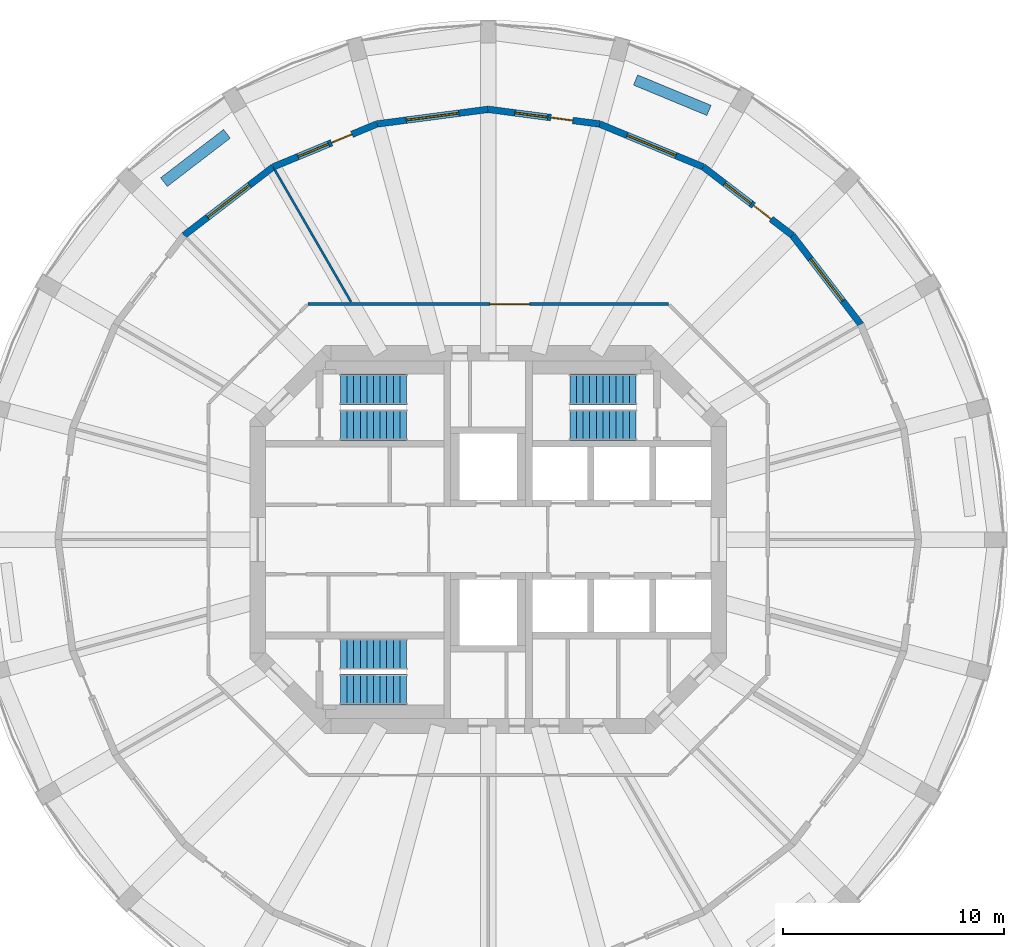
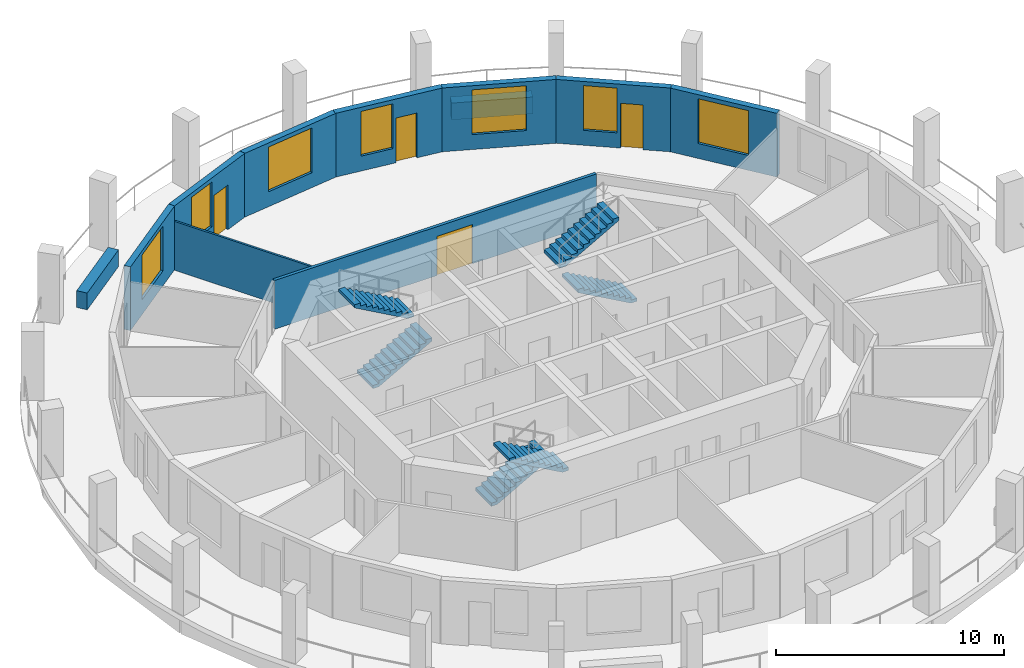
# One storey, part 6 of 8: 11 walls, 7 windows, 6 stair flights, 4 doors, 11 openings, 3 elements without a shape of their own.
"""IFC4 building model written with IfcOpenShell, lengths in metres."""

import ifcopenshell
import ifcopenshell.guid

model = None  # the IFC model being written
_history = None  # IfcOwnerHistory: only IFC2X3 demands one
_inside = {}  # id of a spatial element -> (the spatial element, [elements in it])
_under = {}  # id of a project, library or spatial element -> (it, [spatial elements below it])
_declared = {}  # id of a project -> (the project, [libraries it declares])
_typed = {}  # id of a type object -> (the type object, [elements of that type])
_made_of = {}  # id of a material, layer set ... -> (it, [elements and type objects made of it])


def new_model(schema):
    """Start an empty IFC model of exactly this schema.

    Asked for "IFC4X3", IfcOpenShell would pick the latest addendum, in which some entities
    have other attributes; the version numbers below select the first issue.
    IFC2X3 requires an IfcOwnerHistory on every rooted entity: one is made here for all.
    """
    global model, _history
    if schema == "IFC4X3":
        model = ifcopenshell.file(schema_version=(4, 3, 0, 0))
    else:
        model = ifcopenshell.file(schema=schema)
    _inside.clear()
    _under.clear()
    _declared.clear()
    _typed.clear()
    _made_of.clear()
    _history = None
    if model.schema == "IFC2X3":
        org = make("IfcOrganization", Name="unknown")
        user = make(
            "IfcPersonAndOrganization",
            ThePerson=make("IfcPerson", FamilyName="unknown"),
            TheOrganization=org,
        )
        app = make(
            "IfcApplication",
            ApplicationDeveloper=org,
            Version="unknown",
            ApplicationFullName="unknown",
            ApplicationIdentifier="unknown",
        )
        _history = make(
            "IfcOwnerHistory",
            OwningUser=user,
            OwningApplication=app,
            ChangeAction="ADDED",
            CreationDate=0,
        )
    return model


def make(cls, **values):
    """One entity of the class cls with the attributes given. An attribute that is None is left unset."""
    return model.create_entity(
        cls, **{name: value for name, value in values.items() if value is not None}
    )


def rooted(cls, **values):
    """An entity with a GlobalId (a new one), such as an element, a storey or a relation."""
    return make(cls, GlobalId=ifcopenshell.guid.new(), OwnerHistory=_history, **values)


def si_unit(unit_type, name, prefix=None):
    """IfcSIUnit, for example si_unit("LENGTHUNIT", "METRE", prefix="MILLI")."""
    return make("IfcSIUnit", UnitType=unit_type, Prefix=prefix, Name=name)


def assignment(units):
    """IfcUnitAssignment: the units of a project."""
    return None if units is None else make("IfcUnitAssignment", Units=units)


def point(xyz):
    """IfcCartesianPoint."""
    return None if xyz is None else make("IfcCartesianPoint", Coordinates=xyz)


def direction(xyz):
    """IfcDirection."""
    return None if xyz is None else make("IfcDirection", DirectionRatios=xyz)


def frame(location, z_axis=None, x_axis=None):
    """IfcAxis2Placement3D, a coordinate frame: its origin and axes. An axis left out is left unset."""
    return make(
        "IfcAxis2Placement3D",
        Location=point(location),
        Axis=direction(z_axis),
        RefDirection=direction(x_axis),
    )


def frame_2d(location, x_axis=None):
    """IfcAxis2Placement2D, a coordinate frame in the plane: its origin and x axis."""
    return make(
        "IfcAxis2Placement2D", Location=point(location), RefDirection=direction(x_axis)
    )


def origin():
    """The frame at (0, 0, 0) with its axes left unset."""
    return frame((0.0, 0.0, 0.0))


def place(relative_to, where):
    """IfcLocalPlacement: puts the frame where relative to a parent placement (None: the world)."""
    return make(
        "IfcLocalPlacement", PlacementRelTo=relative_to, RelativePlacement=where
    )


def context(
    kind, dimensions, precision=None, world=None, true_north=None, identifier=None
):
    """IfcGeometricRepresentationContext, for example the 3D "Model" context."""
    return make(
        "IfcGeometricRepresentationContext",
        ContextIdentifier=identifier,
        ContextType=kind,
        CoordinateSpaceDimension=dimensions,
        Precision=precision,
        WorldCoordinateSystem=world,
        TrueNorth=true_north,
    )


def subcontext(parent, identifier, kind, view, scale=None):
    """IfcGeometricRepresentationSubContext, for example "Body" below "Model"."""
    return make(
        "IfcGeometricRepresentationSubContext",
        ContextIdentifier=identifier,
        ContextType=kind,
        ParentContext=parent,
        TargetScale=scale,
        TargetView=view,
    )


def project(units=None, contexts=None):
    """IfcProject with its units and contexts."""
    return rooted(
        "IfcProject",
        Name="project",
        RepresentationContexts=contexts,
        UnitsInContext=assignment(units),
    )


def spatial(cls, under=None, at=None, **own):
    """A site, building, storey or space (cls), placed at a placement, below another one or the project."""
    s = rooted(cls, ObjectPlacement=at, **own)
    if under is not None:
        _under.setdefault(under.id(), (under, []))[1].append(s)
    return s


def polyline(points):
    """IfcPolyline through the points."""
    return make("IfcPolyline", Points=[point(p) for p in points])


def profile(cls, at=None, kind="AREA", **sizes):
    """A parametric profile (cls). Its sizes go by their IFC names, for example OverallWidth=200.0."""
    return make(cls, ProfileType=kind, Position=at, **sizes)


def rectangle(**sizes):
    """IfcRectangleProfileDef."""
    return profile("IfcRectangleProfileDef", **sizes)


def outline(outer, holes=None, kind="AREA"):
    """IfcArbitraryClosedProfileDef: a profile drawn as a closed curve; with holes, ...WithVoids."""
    if holes is None:
        return make("IfcArbitraryClosedProfileDef", ProfileType=kind, OuterCurve=outer)
    return make(
        "IfcArbitraryProfileDefWithVoids",
        ProfileType=kind,
        OuterCurve=outer,
        InnerCurves=holes,
    )


def extrude(swept, where, along, depth):
    """IfcExtrudedAreaSolid: the profile swept, set in the frame where, extruded along a direction by depth."""
    return make(
        "IfcExtrudedAreaSolid",
        SweptArea=swept,
        Position=where,
        ExtrudedDirection=direction(along),
        Depth=depth,
    )


def shape(context_of_items, identifier, shape_type, items):
    """IfcShapeRepresentation: the items that make up one representation, for example the "Body"."""
    return make(
        "IfcShapeRepresentation",
        ContextOfItems=context_of_items,
        RepresentationIdentifier=identifier,
        RepresentationType=shape_type,
        Items=items,
    )


def material(Name=None, Category=None):
    """IfcMaterial."""
    return make("IfcMaterial", Name=Name, Category=Category)


def layer(
    of_material, thickness, ventilated=None, Name=None, Category=None, Priority=None
):
    """IfcMaterialLayer: one layer of a wall or slab, of a material (None: an air gap)."""
    return make(
        "IfcMaterialLayer",
        Material=of_material,
        LayerThickness=thickness,
        IsVentilated=ventilated,
        Name=Name,
        Category=Category,
        Priority=Priority,
    )


def layer_set(layers, Name=None):
    """IfcMaterialLayerSet."""
    return make("IfcMaterialLayerSet", MaterialLayers=layers, LayerSetName=Name)


def made_of(thing, what):
    """Note that an element or type object is made of a material, layer set ...; save() writes the relation."""
    if what is not None:
        _made_of.setdefault(what.id(), (what, []))[1].append(thing)
    return thing


def type_object(cls, material=None, **own):
    """A type object (cls), such as IfcWallType, which elements share."""
    return made_of(rooted(cls, **own), material)


def element(
    cls,
    number,
    at=None,
    inside=None,
    cuts=None,
    type_object=None,
    material=None,
    context=None,
    identifier="Body",
    shape_type=None,
    held_by="IfcProductDefinitionShape",
    body=None,
    shapes=None,
    **own,
):
    """One element of the class cls, such as IfcWall. Its Tag is "e" and its number.

    at: its placement. inside: the storey or other place that contains it. cuts: it is an
    opening in that element (IfcRelVoidsElement). A single representation is given by context,
    identifier, shape_type and body (its items); several are given by shapes. held_by: the class
    of the entity that holds the representations. save() writes the other relations.
    """
    e = rooted(cls, Tag="e%d" % number, ObjectPlacement=at, **own)
    if body is not None:
        shapes = [shape(context, identifier, shape_type, body)]
    if shapes is not None:
        e.Representation = make(held_by, Representations=shapes)
    if inside is not None:
        _inside.setdefault(inside.id(), (inside, []))[1].append(e)
    if cuts is not None:
        rooted(
            "IfcRelVoidsElement", RelatingBuildingElement=cuts, RelatedOpeningElement=e
        )
    if type_object is not None:
        _typed.setdefault(type_object.id(), (type_object, []))[1].append(e)
    return made_of(e, material)


def fill(opening, filler):
    """IfcRelFillsElement: the door or window that sits in an opening."""
    return rooted(
        "IfcRelFillsElement",
        RelatingOpeningElement=opening,
        RelatedBuildingElement=filler,
    )


def aggregate(whole, parts):
    """IfcRelAggregates: a whole, such as a stair, and the parts it consists of."""
    return rooted("IfcRelAggregates", RelatingObject=whole, RelatedObjects=parts)


def save(model, path):
    """Write the relations noted so far, then the file.

    IfcRelAggregates (storeys below a building ...), IfcRelContainedInSpatialStructure (elements
    in a storey), IfcRelDefinesByType, IfcRelAssociatesMaterial and IfcRelDeclares: one each for
    every whole, place, type object, material and project.
    """
    for whole, parts in _under.values():
        aggregate(whole, parts)
    for where, things in _inside.values():
        rooted(
            "IfcRelContainedInSpatialStructure",
            RelatedElements=things,
            RelatingStructure=where,
        )
    for kind, things in _typed.values():
        rooted("IfcRelDefinesByType", RelatedObjects=things, RelatingType=kind)
    for what, things in _made_of.values():
        rooted("IfcRelAssociatesMaterial", RelatedObjects=things, RelatingMaterial=what)
    for by, libraries in _declared.values():
        rooted("IfcRelDeclares", RelatingContext=by, RelatedDefinitions=libraries)
    model.write(path)


model = new_model("IFC4")

# Units and contexts
model_context = context("Model", 3, precision=1e-05, world=origin(), true_north=direction((0.0, 1.0)))
body_context = subcontext(model_context, "Body", "Model", "MODEL_VIEW")
ifc_project = project(units=[si_unit("LENGTHUNIT", "METRE"), si_unit("AREAUNIT", "SQUARE_METRE"), si_unit("VOLUMEUNIT", "CUBIC_METRE"), si_unit("PLANEANGLEUNIT", "RADIAN"), si_unit("MASSUNIT", "GRAM", prefix="KILO")], contexts=[model_context])

# Site, building, storey
site_placement = place(None, origin())
site = spatial("IfcSite", under=ifc_project, at=site_placement, CompositionType="ELEMENT")
building_placement = place(site_placement, origin())
building = spatial("IfcBuilding", under=site, at=building_placement, Name="Torre Triforio", CompositionType="ELEMENT")
storey_placement = place(building_placement, frame((0.0, 0.0, 196.5)))
storey = spatial("IfcBuildingStorey", under=building, at=storey_placement, Name="L44", CompositionType="ELEMENT", Elevation=196.5)

# Wall, opening, door
ifc_material_1 = material(Name="Plasterboard on metal studs")
ifc_layer_1 = layer(ifc_material_1, 0.14990234375)
ifc_layer_set_1 = layer_set([ifc_layer_1], Name="Plasterboard on metal studs")
wall_type_1 = type_object("IfcWallType", Name="Corridor and tenancy wall 150 mm EI 60", PredefinedType="PARTITIONING", material=ifc_layer_set_1)
wall_1_placement = place(storey_placement, frame((-8.16650390625, 10.675048828125, 0.0), z_axis=(0.0, 0.0, 1.0), x_axis=(1.0, 0.0, 0.0)))
wall_1 = element("IfcWall", 1, at=wall_1_placement, inside=storey, type_object=wall_type_1, Name="Partition 7", PredefinedType="PARTITIONING", context=body_context, shape_type="SweptSolid", body=[
    extrude(rectangle(XDim=16.3330078125, YDim=0.14990234375, at=frame_2d((8.16650390625, 0.0))), origin(), (0.0, 0.0, 1.0), 2.6201171875),
])
opening_1_placement = place(wall_1_placement, frame((8.239501953125, 0.0, 0.0)))
opening_1 = element("IfcOpeningElement", 2, at=opening_1_placement, cuts=wall_1, Name="Opening O4-01", PredefinedType="OPENING", context=body_context, shape_type="SweptSolid", body=[
    extrude(rectangle(XDim=1.800048828125, YDim=2.10009765625, at=frame_2d((0.89990234375, 1.050048828125))), frame((0.0, 0.0849609375, 0.0), z_axis=(0.0, -1.0, 0.0), x_axis=(1.0, 0.0, 0.0)), (0.0, 0.0, 1.0), 0.169921875),
])
ifc_material_2 = material(Name="Timber", Category="wood")
door_type_1 = type_object("IfcDoorType", Name="Door 1800 x 2100 double leaf EI 30", OperationType="DOUBLE_DOOR_SINGLE_SWING", PredefinedType="DOOR", material=ifc_material_2)
door_1_placement = place(opening_1_placement, origin())
door_1 = element("IfcDoor", 3, at=door_1_placement, inside=storey, type_object=door_type_1, Name="Door O4-01", OperationType="DOUBLE_DOOR_SINGLE_SWING", OverallHeight=2.10009765625, OverallWidth=1.800048828125, PredefinedType="DOOR", context=body_context, shape_type="SweptSolid", body=[
    extrude(rectangle(XDim=1.800048828125, YDim=2.10009765625, at=frame_2d((0.89990234375, 1.050048828125))), frame((0.0, 0.02490234375, 0.0), z_axis=(0.0, -1.0, 0.0), x_axis=(1.0, 0.0, 0.0)), (0.0, 0.0, 1.0), 0.050048828125),
])
fill(opening_1, door_1)

# Walls
ifc_layer_2 = layer(ifc_material_1, 0.10009765625)
ifc_layer_set_2 = layer_set([ifc_layer_2], Name="Plasterboard on metal studs")
wall_type_2 = type_object("IfcWallType", Name="Partition 100 mm board on metal studs", PredefinedType="PARTITIONING", material=ifc_layer_set_2)
wall_2_placement = place(storey_placement, frame((-6.220703125, 10.774658203125, 0.0), z_axis=(0.0, 0.0, 1.0), x_axis=(-0.500015661236, 0.866016361577, 0.0)))
element("IfcWall", 4, at=wall_2_placement, inside=storey, type_object=wall_type_2, Name="Partition 14", PredefinedType="PARTITIONING", context=body_context, shape_type="SweptSolid", body=[
    extrude(rectangle(XDim=6.895263671875, YDim=0.10009765625, at=frame_2d((3.44775390625, 0.0))), origin(), (0.0, 0.0, 1.0), 2.6201171875),
])
ifc_material_3 = material(Name="Limestone cladding", Category="masonry")
ifc_layer_3 = layer(ifc_material_3, 0.10009765625)
ifc_material_4 = material(Name="Concrete C40", Category="concrete")
ifc_layer_4 = layer(ifc_material_4, 0.39990234375)
ifc_layer_set_3 = layer_set([ifc_layer_3, ifc_layer_4], Name="Limestone cladding / Concrete C40")
wall_type_3 = type_object("IfcWallType", Name="Planter wall 500", PredefinedType="PARAPET", material=ifc_layer_set_3)
wall_3_placement = place(storey_placement, frame((10.005615234375, 19.45166015625, 0.0), z_axis=(0.0, 0.0, 1.0), x_axis=(-0.923885420167, 0.382669217998, 0.0)))
element("IfcWall", 5, at=wall_3_placement, inside=storey, type_object=wall_type_3, Name="Planter L44 bay 05", PredefinedType="PARAPET", context=body_context, shape_type="SweptSolid", body=[
    extrude(rectangle(XDim=3.60009765625, YDim=0.5, at=frame_2d((1.800048828125, 0.0))), origin(), (0.0, 0.0, 1.0), 0.89990234375),
])
wall_4_placement = place(storey_placement, frame((-11.843017578125, 18.390869140625, 0.0), z_axis=(0.0, 0.0, 1.0), x_axis=(-0.793326845617, -0.608795955984, 0.0)))
element("IfcWall", 6, at=wall_4_placement, inside=storey, type_object=wall_type_3, Name="Planter L44 bay 09", PredefinedType="PARAPET", context=body_context, shape_type="SweptSolid", body=[
    extrude(rectangle(XDim=3.599853515625, YDim=0.5, at=frame_2d((1.7998046875, 0.0))), origin(), (0.0, 0.0, 1.0), 0.89990234375),
])

# Wall, opening, window
ifc_layer_5 = layer(ifc_material_3, 0.10009765625)
ifc_layer_6 = layer(ifc_material_4, 0.199951171875)
ifc_layer_set_4 = layer_set([ifc_layer_5, ifc_layer_6], Name="Limestone cladding / Concrete C40")
wall_type_4 = type_object("IfcWallType", Name="Stone-faced composite wall 300", PredefinedType="STANDARD", material=ifc_layer_set_4)
wall_5_placement = place(storey_placement, frame((16.887451171875, 9.75, 0.0), z_axis=(0.0, 0.0, 1.0), x_axis=(-0.608757714995, 0.79335619014, 0.0)))
wall_5 = element("IfcWall", 7, at=wall_5_placement, inside=storey, type_object=wall_type_4, Name="External wall L44 bay 03", PredefinedType="STANDARD", context=body_context, shape_type="SweptSolid", body=[
    extrude(rectangle(XDim=5.090576171875, YDim=0.300048828125, at=frame_2d((2.54541015625, 0.0))), origin(), (0.0, 0.0, 1.0), 3.419921875),
])
opening_2_placement = place(wall_5_placement, frame((1.34521484375, 0.0, 0.800048828125)))
opening_2 = element("IfcOpeningElement", 8, at=opening_2_placement, cuts=wall_5, Name="Opening O4-W03", PredefinedType="OPENING", context=body_context, shape_type="SweptSolid", body=[
    extrude(rectangle(XDim=2.39990234375, YDim=2.39990234375, at=frame_2d((1.199951171875, 1.199951171875))), frame((0.0, 0.159912109375, 0.0), z_axis=(0.0, -1.0, 0.0), x_axis=(1.0, 0.0, 0.0)), (0.0, 0.0, 1.0), 0.320068359375),
])
ifc_material_5 = material(Name="Aluminium frame with clear double glazing", Category="aluminium")
window_type_1 = type_object("IfcWindowType", Name="Punched window 2400 x 2400", PartitioningType="DOUBLE_PANEL_VERTICAL", PredefinedType="WINDOW", material=ifc_material_5)
window_1_placement = place(opening_2_placement, origin())
window_1 = element("IfcWindow", 9, at=window_1_placement, inside=storey, type_object=window_type_1, Name="Window EWN4 L44 bay 03", OverallHeight=2.39990234375, OverallWidth=2.39990234375, PartitioningType="SINGLE_PANEL", PredefinedType="WINDOW", context=body_context, shape_type="SweptSolid", body=[
    extrude(rectangle(XDim=2.39990234375, YDim=2.39990234375, at=frame_2d((1.199951171875, 1.199951171875))), frame((0.0, 0.030029296875, 0.0), z_axis=(0.0, -1.0, 0.0), x_axis=(1.0, 0.0, 0.0)), (0.0, 0.0, 1.0), 0.06005859375),
])
fill(opening_2, window_1)

# Wall, openings, door, window
wall_6_placement = place(storey_placement, frame((13.78857421875, 13.78857421875, 0.0), z_axis=(0.0, 0.0, 1.0), x_axis=(-0.79335619014, 0.608757714995, 0.0)))
wall_6 = element("IfcWall", 10, at=wall_6_placement, inside=storey, type_object=wall_type_4, Name="External wall L44 bay 04", PredefinedType="STANDARD", context=body_context, shape_type="SweptSolid", body=[
    extrude(rectangle(XDim=5.090576171875, YDim=0.300048828125, at=frame_2d((2.54541015625, 0.0))), origin(), (0.0, 0.0, 1.0), 3.419921875),
])
opening_3_placement = place(wall_6_placement, frame((1.22021484375, 0.0, 0.0)))
opening_3 = element("IfcOpeningElement", 11, at=opening_3_placement, cuts=wall_6, Name="Opening O4-D04", PredefinedType="OPENING", context=body_context, shape_type="SweptSolid", body=[
    extrude(rectangle(XDim=1.0, YDim=2.39990234375, at=frame_2d((0.5, 1.199951171875))), frame((0.0, 0.159912109375, 0.0), z_axis=(0.0, -1.0, 0.0), x_axis=(1.0, 0.0, 0.0)), (0.0, 0.0, 1.0), 0.320068359375),
])
opening_4_placement = place(wall_6_placement, frame((2.370361328125, 0.0, 0.800048828125)))
opening_4 = element("IfcOpeningElement", 12, at=opening_4_placement, cuts=wall_6, Name="Opening O4-W04A", PredefinedType="OPENING", context=body_context, shape_type="SweptSolid", body=[
    extrude(rectangle(XDim=1.5, YDim=2.39990234375, at=frame_2d((0.75, 1.199951171875))), frame((0.0, 0.159912109375, 0.0), z_axis=(0.0, -1.0, 0.0), x_axis=(1.0, 0.0, 0.0)), (0.0, 0.0, 1.0), 0.320068359375),
])
door_type_2 = type_object("IfcDoorType", Name="Loggia door 1000 x 2400", OperationType="NOTDEFINED", PredefinedType="DOOR", material=ifc_material_5)
door_2_placement = place(opening_3_placement, origin())
door_2 = element("IfcDoor", 13, at=door_2_placement, inside=storey, type_object=door_type_2, Name="Loggia door L44 bay 04", OperationType="SINGLE_SWING_LEFT", OverallHeight=2.39990234375, OverallWidth=1.0, PredefinedType="DOOR", context=body_context, shape_type="SweptSolid", body=[
    extrude(rectangle(XDim=1.0, YDim=2.39990234375, at=frame_2d((0.5, 1.199951171875))), frame((0.0, 0.02490234375, 0.0), z_axis=(0.0, -1.0, 0.0), x_axis=(1.0, 0.0, 0.0)), (0.0, 0.0, 1.0), 0.050048828125),
])
fill(opening_3, door_2)
window_type_2 = type_object("IfcWindowType", Name="Side window 1500 x 2400", PartitioningType="SINGLE_PANEL", PredefinedType="WINDOW", material=ifc_material_5)
window_2_placement = place(opening_4_placement, origin())
window_2 = element("IfcWindow", 14, at=window_2_placement, inside=storey, type_object=window_type_2, Name="Side window EWN14 L44 bay 04", OverallHeight=2.39990234375, OverallWidth=1.5, PartitioningType="SINGLE_PANEL", PredefinedType="WINDOW", context=body_context, shape_type="SweptSolid", body=[
    extrude(rectangle(XDim=1.5, YDim=2.39990234375, at=frame_2d((0.75, 1.199951171875))), frame((0.0, 0.030029296875, 0.0), z_axis=(0.0, -1.0, 0.0), x_axis=(1.0, 0.0, 0.0)), (0.0, 0.0, 1.0), 0.06005859375),
])
fill(opening_4, window_2)

# Wall, opening, window
wall_7_placement = place(storey_placement, frame((9.75, 16.887451171875, 0.0), z_axis=(0.0, 0.0, 1.0), x_axis=(-0.923862504675, 0.382724538613, 0.0)))
wall_7 = element("IfcWall", 15, at=wall_7_placement, inside=storey, type_object=wall_type_4, Name="External wall L44 bay 05", PredefinedType="STANDARD", context=body_context, shape_type="SweptSolid", body=[
    extrude(rectangle(XDim=5.090576171875, YDim=0.300048828125, at=frame_2d((2.54541015625, 0.0))), origin(), (0.0, 0.0, 1.0), 3.419921875),
])
opening_5_placement = place(wall_7_placement, frame((1.34521484375, 0.0, 0.800048828125)))
opening_5 = element("IfcOpeningElement", 16, at=opening_5_placement, cuts=wall_7, Name="Opening O4-W05", PredefinedType="OPENING", context=body_context, shape_type="SweptSolid", body=[
    extrude(rectangle(XDim=2.39990234375, YDim=2.39990234375, at=frame_2d((1.199951171875, 1.199951171875))), frame((0.0, 0.159912109375, 0.0), z_axis=(0.0, -1.0, 0.0), x_axis=(1.0, 0.0, 0.0)), (0.0, 0.0, 1.0), 0.320068359375),
])
window_3_placement = place(opening_5_placement, origin())
window_3 = element("IfcWindow", 17, at=window_3_placement, inside=storey, type_object=window_type_1, Name="Window EWN4 L44 bay 05", OverallHeight=2.39990234375, OverallWidth=2.39990234375, PartitioningType="SINGLE_PANEL", PredefinedType="WINDOW", context=body_context, shape_type="SweptSolid", body=[
    extrude(rectangle(XDim=2.39990234375, YDim=2.39990234375, at=frame_2d((1.199951171875, 1.199951171875))), frame((0.0, 0.030029296875, 0.0), z_axis=(0.0, -1.0, 0.0), x_axis=(1.0, 0.0, 0.0)), (0.0, 0.0, 1.0), 0.06005859375),
])
fill(opening_5, window_3)

# Wall, openings, door, window
wall_8_placement = place(storey_placement, frame((5.047119140625, 18.835693359375, 0.0), z_axis=(0.0, 0.0, 1.0), x_axis=(-0.99144890792, 0.130495451964, 0.0)))
wall_8 = element("IfcWall", 18, at=wall_8_placement, inside=storey, type_object=wall_type_4, Name="External wall L44 bay 06", PredefinedType="STANDARD", context=body_context, shape_type="SweptSolid", body=[
    extrude(rectangle(XDim=5.090576171875, YDim=0.300048828125, at=frame_2d((2.54541015625, 0.0))), origin(), (0.0, 0.0, 1.0), 3.419921875),
])
opening_6_placement = place(wall_8_placement, frame((1.22021484375, 0.0, 0.0)))
opening_6 = element("IfcOpeningElement", 19, at=opening_6_placement, cuts=wall_8, Name="Opening O4-D06", PredefinedType="OPENING", context=body_context, shape_type="SweptSolid", body=[
    extrude(rectangle(XDim=1.0, YDim=2.39990234375, at=frame_2d((0.5, 1.199951171875))), frame((0.0, 0.159912109375, 0.0), z_axis=(0.0, -1.0, 0.0), x_axis=(1.0, 0.0, 0.0)), (0.0, 0.0, 1.0), 0.320068359375),
])
opening_7_placement = place(wall_8_placement, frame((2.370361328125, 0.0, 0.800048828125)))
opening_7 = element("IfcOpeningElement", 20, at=opening_7_placement, cuts=wall_8, Name="Opening O4-W06A", PredefinedType="OPENING", context=body_context, shape_type="SweptSolid", body=[
    extrude(rectangle(XDim=1.5, YDim=2.39990234375, at=frame_2d((0.75, 1.199951171875))), frame((0.0, 0.159912109375, 0.0), z_axis=(0.0, -1.0, 0.0), x_axis=(1.0, 0.0, 0.0)), (0.0, 0.0, 1.0), 0.320068359375),
])
door_3_placement = place(opening_6_placement, origin())
door_3 = element("IfcDoor", 21, at=door_3_placement, inside=storey, type_object=door_type_2, Name="Loggia door L44 bay 06", OperationType="SINGLE_SWING_LEFT", OverallHeight=2.39990234375, OverallWidth=1.0, PredefinedType="DOOR", context=body_context, shape_type="SweptSolid", body=[
    extrude(rectangle(XDim=1.0, YDim=2.39990234375, at=frame_2d((0.5, 1.199951171875))), frame((0.0, 0.02490234375, 0.0), z_axis=(0.0, -1.0, 0.0), x_axis=(1.0, 0.0, 0.0)), (0.0, 0.0, 1.0), 0.050048828125),
])
fill(opening_6, door_3)
window_4_placement = place(opening_7_placement, origin())
window_4 = element("IfcWindow", 22, at=window_4_placement, inside=storey, type_object=window_type_2, Name="Side window EWN14 L44 bay 06", OverallHeight=2.39990234375, OverallWidth=1.5, PartitioningType="SINGLE_PANEL", PredefinedType="WINDOW", context=body_context, shape_type="SweptSolid", body=[
    extrude(rectangle(XDim=1.5, YDim=2.39990234375, at=frame_2d((0.75, 1.199951171875))), frame((0.0, 0.030029296875, 0.0), z_axis=(0.0, -1.0, 0.0), x_axis=(1.0, 0.0, 0.0)), (0.0, 0.0, 1.0), 0.06005859375),
])
fill(opening_7, window_4)

# Wall, opening, window
wall_9_placement = place(storey_placement, frame((0.0, 19.5, 0.0), z_axis=(0.0, 0.0, 1.0), x_axis=(-0.99144890792, -0.130495451964, 0.0)))
wall_9 = element("IfcWall", 23, at=wall_9_placement, inside=storey, type_object=wall_type_4, Name="External wall L44 bay 07", PredefinedType="STANDARD", context=body_context, shape_type="SweptSolid", body=[
    extrude(rectangle(XDim=5.090576171875, YDim=0.300048828125, at=frame_2d((2.54541015625, 0.0))), origin(), (0.0, 0.0, 1.0), 3.419921875),
])
opening_8_placement = place(wall_9_placement, frame((1.34521484375, 0.0, 0.800048828125)))
opening_8 = element("IfcOpeningElement", 24, at=opening_8_placement, cuts=wall_9, Name="Opening O4-W07", PredefinedType="OPENING", context=body_context, shape_type="SweptSolid", body=[
    extrude(rectangle(XDim=2.39990234375, YDim=2.39990234375, at=frame_2d((1.199951171875, 1.199951171875))), frame((0.0, 0.159912109375, 0.0), z_axis=(0.0, -1.0, 0.0), x_axis=(1.0, 0.0, 0.0)), (0.0, 0.0, 1.0), 0.320068359375),
])
window_5_placement = place(opening_8_placement, origin())
window_5 = element("IfcWindow", 25, at=window_5_placement, inside=storey, type_object=window_type_1, Name="Window EWN4 L44 bay 07", OverallHeight=2.39990234375, OverallWidth=2.39990234375, PartitioningType="SINGLE_PANEL", PredefinedType="WINDOW", context=body_context, shape_type="SweptSolid", body=[
    extrude(rectangle(XDim=2.39990234375, YDim=2.39990234375, at=frame_2d((1.199951171875, 1.199951171875))), frame((0.0, 0.030029296875, 0.0), z_axis=(0.0, -1.0, 0.0), x_axis=(1.0, 0.0, 0.0)), (0.0, 0.0, 1.0), 0.06005859375),
])
fill(opening_8, window_5)

# Wall, openings, door, window
wall_10_placement = place(storey_placement, frame((-5.047119140625, 18.835693359375, 0.0), z_axis=(0.0, 0.0, 1.0), x_axis=(-0.923862504675, -0.382724538613, 0.0)))
wall_10 = element("IfcWall", 26, at=wall_10_placement, inside=storey, type_object=wall_type_4, Name="External wall L44 bay 08", PredefinedType="STANDARD", context=body_context, shape_type="SweptSolid", body=[
    extrude(rectangle(XDim=5.090576171875, YDim=0.300048828125, at=frame_2d((2.54541015625, 0.0))), origin(), (0.0, 0.0, 1.0), 3.419921875),
])
opening_9_placement = place(wall_10_placement, frame((1.22021484375, 0.0, 0.0)))
opening_9 = element("IfcOpeningElement", 27, at=opening_9_placement, cuts=wall_10, Name="Opening O4-D08", PredefinedType="OPENING", context=body_context, shape_type="SweptSolid", body=[
    extrude(rectangle(XDim=1.0, YDim=2.39990234375, at=frame_2d((0.5, 1.199951171875))), frame((0.0, 0.159912109375, 0.0), z_axis=(0.0, -1.0, 0.0), x_axis=(1.0, 0.0, 0.0)), (0.0, 0.0, 1.0), 0.320068359375),
])
opening_10_placement = place(wall_10_placement, frame((2.370361328125, 0.0, 0.800048828125)))
opening_10 = element("IfcOpeningElement", 28, at=opening_10_placement, cuts=wall_10, Name="Opening O4-W08A", PredefinedType="OPENING", context=body_context, shape_type="SweptSolid", body=[
    extrude(rectangle(XDim=1.5, YDim=2.39990234375, at=frame_2d((0.75, 1.199951171875))), frame((0.0, 0.159912109375, 0.0), z_axis=(0.0, -1.0, 0.0), x_axis=(1.0, 0.0, 0.0)), (0.0, 0.0, 1.0), 0.320068359375),
])
door_4_placement = place(opening_9_placement, origin())
door_4 = element("IfcDoor", 29, at=door_4_placement, inside=storey, type_object=door_type_2, Name="Loggia door L44 bay 08", OperationType="SINGLE_SWING_LEFT", OverallHeight=2.39990234375, OverallWidth=1.0, PredefinedType="DOOR", context=body_context, shape_type="SweptSolid", body=[
    extrude(rectangle(XDim=1.0, YDim=2.39990234375, at=frame_2d((0.5, 1.199951171875))), frame((0.0, 0.02490234375, 0.0), z_axis=(0.0, -1.0, 0.0), x_axis=(1.0, 0.0, 0.0)), (0.0, 0.0, 1.0), 0.050048828125),
])
fill(opening_9, door_4)
window_6_placement = place(opening_10_placement, origin())
window_6 = element("IfcWindow", 30, at=window_6_placement, inside=storey, type_object=window_type_2, Name="Side window EWN14 L44 bay 08", OverallHeight=2.39990234375, OverallWidth=1.5, PartitioningType="SINGLE_PANEL", PredefinedType="WINDOW", context=body_context, shape_type="SweptSolid", body=[
    extrude(rectangle(XDim=1.5, YDim=2.39990234375, at=frame_2d((0.75, 1.199951171875))), frame((0.0, 0.030029296875, 0.0), z_axis=(0.0, -1.0, 0.0), x_axis=(1.0, 0.0, 0.0)), (0.0, 0.0, 1.0), 0.06005859375),
])
fill(opening_10, window_6)

# Wall, opening, window
wall_11_placement = place(storey_placement, frame((-9.75, 16.887451171875, 0.0), z_axis=(0.0, 0.0, 1.0), x_axis=(-0.79335619014, -0.608757714995, 0.0)))
wall_11 = element("IfcWall", 31, at=wall_11_placement, inside=storey, type_object=wall_type_4, Name="External wall L44 bay 09", PredefinedType="STANDARD", context=body_context, shape_type="SweptSolid", body=[
    extrude(rectangle(XDim=5.090576171875, YDim=0.300048828125, at=frame_2d((2.54541015625, 0.0))), origin(), (0.0, 0.0, 1.0), 3.419921875),
])
opening_11_placement = place(wall_11_placement, frame((1.34521484375, 0.0, 0.800048828125)))
opening_11 = element("IfcOpeningElement", 32, at=opening_11_placement, cuts=wall_11, Name="Opening O4-W09", PredefinedType="OPENING", context=body_context, shape_type="SweptSolid", body=[
    extrude(rectangle(XDim=2.39990234375, YDim=2.39990234375, at=frame_2d((1.199951171875, 1.199951171875))), frame((0.0, 0.159912109375, 0.0), z_axis=(0.0, -1.0, 0.0), x_axis=(1.0, 0.0, 0.0)), (0.0, 0.0, 1.0), 0.320068359375),
])
window_7_placement = place(opening_11_placement, origin())
window_7 = element("IfcWindow", 33, at=window_7_placement, inside=storey, type_object=window_type_1, Name="Window EWN4 L44 bay 09", OverallHeight=2.39990234375, OverallWidth=2.39990234375, PartitioningType="SINGLE_PANEL", PredefinedType="WINDOW", context=body_context, shape_type="SweptSolid", body=[
    extrude(rectangle(XDim=2.39990234375, YDim=2.39990234375, at=frame_2d((1.199951171875, 1.199951171875))), frame((0.0, 0.030029296875, 0.0), z_axis=(0.0, -1.0, 0.0), x_axis=(1.0, 0.0, 0.0)), (0.0, 0.0, 1.0), 0.06005859375),
])
fill(opening_11, window_7)

# Stair, stair flights
stair_type = type_object("IfcStairType", Name="STAIR HALF-TURN", PredefinedType="HALF_TURN_STAIR", material=ifc_material_4)
stair_1_placement = place(storey_placement, origin())
stair_1 = element("IfcStair", 34, at=stair_1_placement, inside=storey, type_object=stair_type, Name="Exit stair 1", PredefinedType="HALF_TURN_STAIR")
stair_flight_type = type_object("IfcStairFlightType", Name="STAIR FLIGHT 1400", PredefinedType="STRAIGHT", material=ifc_material_4)
stair_flight_1_placement = place(storey_placement, frame((-6.699951171875, 5.199951171875, 0.0), z_axis=(0.0, 0.0, 1.0), x_axis=(1.0, 0.0, 0.0)))
stair_flight_1 = element("IfcStairFlight", 35, at=stair_flight_1_placement, type_object=stair_flight_type, Name="ST1 flight 1", NumberOfRisers=11, NumberOfTreads=10, PredefinedType="STRAIGHT", RiserHeight=0.168181818, TreadLength=0.3, context=body_context, shape_type="SweptSolid", body=[
    extrude(outline(polyline([(0.0, 0.0), (0.0, 0.168212890625), (0.300048828125, 0.168212890625), (0.300048828125, 0.33642578125), (0.60009765625, 0.33642578125), (0.60009765625, 0.504638671875), (0.89990234375, 0.504638671875), (0.89990234375, 0.672607421875), (1.199951171875, 0.672607421875), (1.199951171875, 0.8408203125), (1.5, 0.8408203125), (1.5, 1.009033203125), (1.800048828125, 1.009033203125), (1.800048828125, 1.17724609375), (2.10009765625, 1.17724609375), (2.10009765625, 1.345458984375), (2.39990234375, 1.345458984375), (2.39990234375, 1.513671875), (2.699951171875, 1.513671875), (2.699951171875, 1.681884765625), (3.0, 1.681884765625), (3.0, 1.85009765625), (3.0, 1.510009765625), (0.306640625, 0.0), (0.0, 0.0)])), frame((0.0, 0.699951171875, 0.0), z_axis=(0.0, -1.0, 0.0), x_axis=(1.0, 0.0, 0.0)), (0.0, 0.0, 1.0), 1.39990234375),
])
stair_flight_2_placement = place(storey_placement, frame((-3.699951171875, 6.800048828125, 1.85009765625), z_axis=(0.0, 0.0, 1.0), x_axis=(-1.0, 0.0, 0.0)))
stair_flight_2 = element("IfcStairFlight", 36, at=stair_flight_2_placement, type_object=stair_flight_type, Name="ST1 flight 2", NumberOfRisers=11, NumberOfTreads=10, PredefinedType="STRAIGHT", RiserHeight=0.168181818, TreadLength=0.3, context=body_context, shape_type="SweptSolid", body=[
    extrude(outline(polyline([(0.0, 0.0), (0.0, 0.168212890625), (0.300048828125, 0.168212890625), (0.300048828125, 0.33642578125), (0.60009765625, 0.33642578125), (0.60009765625, 0.504638671875), (0.89990234375, 0.504638671875), (0.89990234375, 0.672607421875), (1.199951171875, 0.672607421875), (1.199951171875, 0.8408203125), (1.5, 0.8408203125), (1.5, 1.009033203125), (1.800048828125, 1.009033203125), (1.800048828125, 1.17724609375), (2.10009765625, 1.17724609375), (2.10009765625, 1.345458984375), (2.39990234375, 1.345458984375), (2.39990234375, 1.513671875), (2.699951171875, 1.513671875), (2.699951171875, 1.681884765625), (3.0, 1.681884765625), (3.0, 1.85009765625), (3.0, 1.510009765625), (0.306640625, 0.0), (0.0, 0.0)])), frame((0.0, 0.699951171875, 0.0), z_axis=(0.0, -1.0, 0.0), x_axis=(1.0, 0.0, 0.0)), (0.0, 0.0, 1.0), 1.39990234375),
])
aggregate(stair_1, [stair_flight_1, stair_flight_2])

stair_2_placement = place(storey_placement, origin())
stair_2 = element("IfcStair", 37, at=stair_2_placement, inside=storey, type_object=stair_type, Name="Exit stair 2", PredefinedType="HALF_TURN_STAIR")
stair_flight_3_placement = place(storey_placement, frame((6.699951171875, 5.199951171875, 0.0), z_axis=(0.0, 0.0, 1.0), x_axis=(-1.0, 0.0, 0.0)))
stair_flight_3 = element("IfcStairFlight", 38, at=stair_flight_3_placement, type_object=stair_flight_type, Name="ST2 flight 1", NumberOfRisers=11, NumberOfTreads=10, PredefinedType="STRAIGHT", RiserHeight=0.168181818, TreadLength=0.3, context=body_context, shape_type="SweptSolid", body=[
    extrude(outline(polyline([(0.0, 0.0), (0.0, 0.168212890625), (0.300048828125, 0.168212890625), (0.300048828125, 0.33642578125), (0.60009765625, 0.33642578125), (0.60009765625, 0.504638671875), (0.89990234375, 0.504638671875), (0.89990234375, 0.672607421875), (1.199951171875, 0.672607421875), (1.199951171875, 0.8408203125), (1.5, 0.8408203125), (1.5, 1.009033203125), (1.800048828125, 1.009033203125), (1.800048828125, 1.17724609375), (2.10009765625, 1.17724609375), (2.10009765625, 1.345458984375), (2.39990234375, 1.345458984375), (2.39990234375, 1.513671875), (2.699951171875, 1.513671875), (2.699951171875, 1.681884765625), (3.0, 1.681884765625), (3.0, 1.85009765625), (3.0, 1.510009765625), (0.306640625, 0.0), (0.0, 0.0)])), frame((0.0, 0.699951171875, 0.0), z_axis=(0.0, -1.0, 0.0), x_axis=(1.0, 0.0, 0.0)), (0.0, 0.0, 1.0), 1.39990234375),
])
stair_flight_4_placement = place(storey_placement, frame((3.699951171875, 6.800048828125, 1.85009765625), z_axis=(0.0, 0.0, 1.0), x_axis=(1.0, 0.0, 0.0)))
stair_flight_4 = element("IfcStairFlight", 39, at=stair_flight_4_placement, type_object=stair_flight_type, Name="ST2 flight 2", NumberOfRisers=11, NumberOfTreads=10, PredefinedType="STRAIGHT", RiserHeight=0.168181818, TreadLength=0.3, context=body_context, shape_type="SweptSolid", body=[
    extrude(outline(polyline([(0.0, 0.0), (0.0, 0.168212890625), (0.300048828125, 0.168212890625), (0.300048828125, 0.33642578125), (0.60009765625, 0.33642578125), (0.60009765625, 0.504638671875), (0.89990234375, 0.504638671875), (0.89990234375, 0.672607421875), (1.199951171875, 0.672607421875), (1.199951171875, 0.8408203125), (1.5, 0.8408203125), (1.5, 1.009033203125), (1.800048828125, 1.009033203125), (1.800048828125, 1.17724609375), (2.10009765625, 1.17724609375), (2.10009765625, 1.345458984375), (2.39990234375, 1.345458984375), (2.39990234375, 1.513671875), (2.699951171875, 1.513671875), (2.699951171875, 1.681884765625), (3.0, 1.681884765625), (3.0, 1.85009765625), (3.0, 1.510009765625), (0.306640625, 0.0), (0.0, 0.0)])), frame((0.0, 0.699951171875, 0.0), z_axis=(0.0, -1.0, 0.0), x_axis=(1.0, 0.0, 0.0)), (0.0, 0.0, 1.0), 1.39990234375),
])
aggregate(stair_2, [stair_flight_3, stair_flight_4])

stair_3_placement = place(storey_placement, origin())
stair_3 = element("IfcStair", 40, at=stair_3_placement, inside=storey, type_object=stair_type, Name="Exit stair 3", PredefinedType="HALF_TURN_STAIR")
stair_flight_5_placement = place(storey_placement, frame((-6.699951171875, -5.199951171875, 0.0), z_axis=(0.0, 0.0, 1.0), x_axis=(1.0, 0.0, 0.0)))
stair_flight_5 = element("IfcStairFlight", 41, at=stair_flight_5_placement, type_object=stair_flight_type, Name="ST3 flight 1", NumberOfRisers=11, NumberOfTreads=10, PredefinedType="STRAIGHT", RiserHeight=0.168181818, TreadLength=0.3, context=body_context, shape_type="SweptSolid", body=[
    extrude(outline(polyline([(0.0, 0.0), (0.0, 0.168212890625), (0.300048828125, 0.168212890625), (0.300048828125, 0.33642578125), (0.60009765625, 0.33642578125), (0.60009765625, 0.504638671875), (0.89990234375, 0.504638671875), (0.89990234375, 0.672607421875), (1.199951171875, 0.672607421875), (1.199951171875, 0.8408203125), (1.5, 0.8408203125), (1.5, 1.009033203125), (1.800048828125, 1.009033203125), (1.800048828125, 1.17724609375), (2.10009765625, 1.17724609375), (2.10009765625, 1.345458984375), (2.39990234375, 1.345458984375), (2.39990234375, 1.513671875), (2.699951171875, 1.513671875), (2.699951171875, 1.681884765625), (3.0, 1.681884765625), (3.0, 1.85009765625), (3.0, 1.510009765625), (0.306640625, 0.0), (0.0, 0.0)])), frame((0.0, 0.699951171875, 0.0), z_axis=(0.0, -1.0, 0.0), x_axis=(1.0, 0.0, 0.0)), (0.0, 0.0, 1.0), 1.39990234375),
])
stair_flight_6_placement = place(storey_placement, frame((-3.699951171875, -6.800048828125, 1.85009765625), z_axis=(0.0, 0.0, 1.0), x_axis=(-1.0, 0.0, 0.0)))
stair_flight_6 = element("IfcStairFlight", 42, at=stair_flight_6_placement, type_object=stair_flight_type, Name="ST3 flight 2", NumberOfRisers=11, NumberOfTreads=10, PredefinedType="STRAIGHT", RiserHeight=0.168181818, TreadLength=0.3, context=body_context, shape_type="SweptSolid", body=[
    extrude(outline(polyline([(0.0, 0.0), (0.0, 0.168212890625), (0.300048828125, 0.168212890625), (0.300048828125, 0.33642578125), (0.60009765625, 0.33642578125), (0.60009765625, 0.504638671875), (0.89990234375, 0.504638671875), (0.89990234375, 0.672607421875), (1.199951171875, 0.672607421875), (1.199951171875, 0.8408203125), (1.5, 0.8408203125), (1.5, 1.009033203125), (1.800048828125, 1.009033203125), (1.800048828125, 1.17724609375), (2.10009765625, 1.17724609375), (2.10009765625, 1.345458984375), (2.39990234375, 1.345458984375), (2.39990234375, 1.513671875), (2.699951171875, 1.513671875), (2.699951171875, 1.681884765625), (3.0, 1.681884765625), (3.0, 1.85009765625), (3.0, 1.510009765625), (0.306640625, 0.0), (0.0, 0.0)])), frame((0.0, 0.699951171875, 0.0), z_axis=(0.0, -1.0, 0.0), x_axis=(1.0, 0.0, 0.0)), (0.0, 0.0, 1.0), 1.39990234375),
])
aggregate(stair_3, [stair_flight_5, stair_flight_6])

save(model, "model.ifc")
